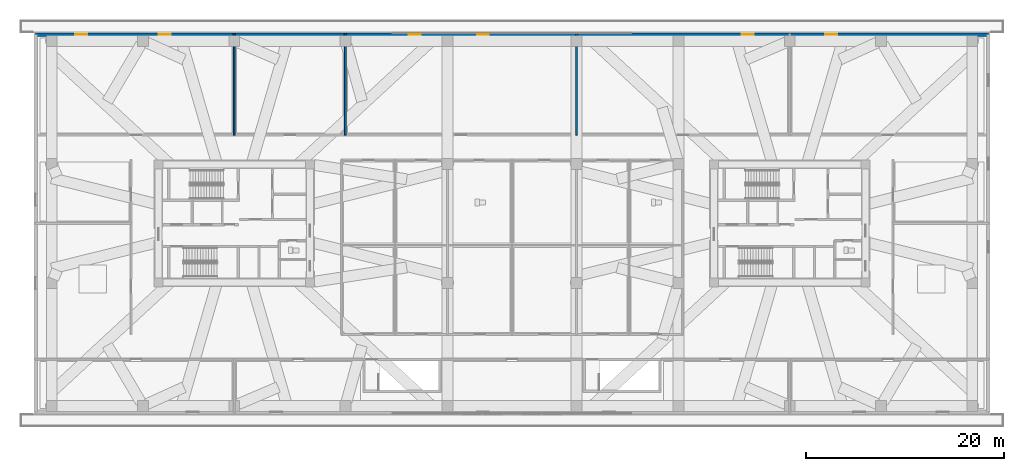
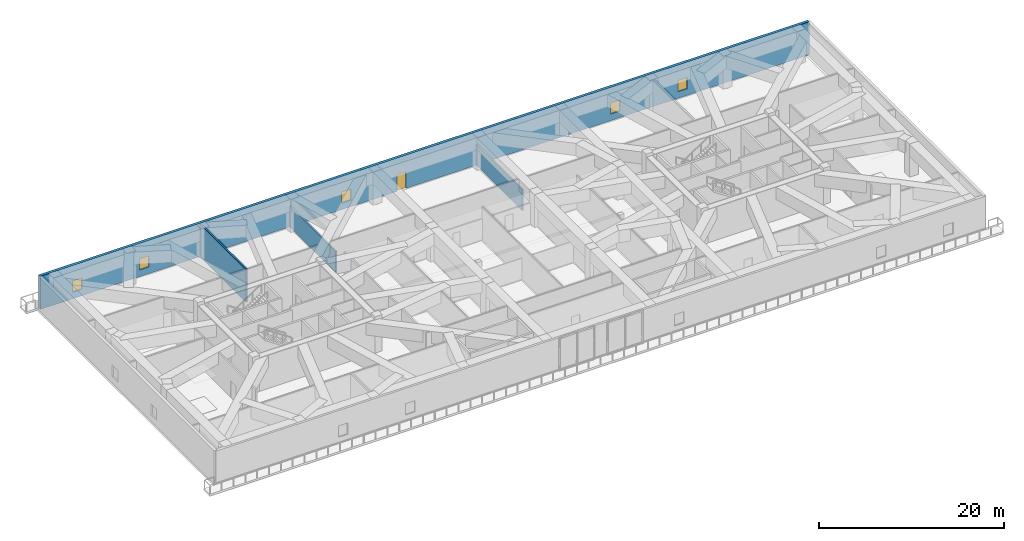
# One storey, part 10 of 21: 5 windows, 4 walls, 1 door, 6 openings.
"""IFC4 building model written with IfcOpenShell, lengths in metres."""

from ifc_helpers import new_model, si_unit, direction, frame, frame_2d, origin, place, context, subcontext, project, spatial, rectangle, extrude, source, transform, mapped, material, layer, layer_set, type_object, type_shapes, element, fill, save


model = new_model("IFC4")

# Units and contexts
model_context = context("Model", 3, precision=1e-05, world=origin(), true_north=direction((0.0, 1.0)))
body_context = subcontext(model_context, "Body", "Model", "MODEL_VIEW")
ifc_project = project(units=[si_unit("LENGTHUNIT", "METRE"), si_unit("AREAUNIT", "SQUARE_METRE"), si_unit("VOLUMEUNIT", "CUBIC_METRE"), si_unit("PLANEANGLEUNIT", "RADIAN"), si_unit("MASSUNIT", "GRAM", prefix="KILO")], contexts=[model_context])

# Site, building, storey
site_placement = place(None, origin())
site = spatial("IfcSite", under=ifc_project, at=site_placement, CompositionType="ELEMENT")
building_placement = place(site_placement, origin())
building = spatial("IfcBuilding", under=site, at=building_placement, Name="Norrkilde Senior Care Towers", CompositionType="ELEMENT")
storey_placement = place(building_placement, frame((0.0, 0.0, 16.800048828125)))
storey = spatial("IfcBuildingStorey", under=building, at=storey_placement, Name="L04", CompositionType="ELEMENT", Elevation=16.800048828125)

# Wall, openings, door, windows
ifc_material_1 = material(Name="Precast concrete C45/55", Category="concrete")
ifc_layer_1 = layer(ifc_material_1, 0.360107421875)
ifc_layer_set_1 = layer_set([ifc_layer_1], Name="Precast concrete C45/55")
wall_type_1 = type_object("IfcWallType", Name="Podium Facade Wall 360", PredefinedType="SOLIDWALL", material=ifc_layer_set_1)
shared_shape_1 = source(origin(), body_context, "Body", "SweptSolid", [
    extrude(rectangle(XDim=96.0400390625, YDim=0.360107421875, at=frame_2d((48.02001953125, 0.0))), origin(), (0.0, 0.0, 1.0), 4.3798828125),
])
type_shapes(wall_type_1, [shared_shape_1])
wall_1_placement = place(storey_placement, frame((-48.02001953125, 19.02001953125, 0.0), z_axis=(0.0, 0.0, 1.0), x_axis=(1.0, 0.0, 0.0)))
wall_1 = element("IfcWall", 1, at=wall_1_placement, inside=storey, type_object=wall_type_1, Name="L04 Podium N Facade Wall", PredefinedType="SOLIDWALL", context=body_context, shape_type="MappedRepresentation", body=[
    mapped(shared_shape_1, transform((0.0, 0.0, 0.0), x_axis=(1.0, 0.0, 0.0), y_axis=(0.0, 1.0, 0.0), z_axis=(0.0, 0.0, 1.0), scale=1.0)),
])
opening_1_placement = place(wall_1_placement, frame((44.52001953125, 0.0, 0.0)))
opening_1 = element("IfcOpeningElement", 2, at=opening_1_placement, cuts=wall_1, Name="Opening D-09", PredefinedType="OPENING", context=body_context, shape_type="SweptSolid", body=[
    extrude(rectangle(XDim=1.14990234375, YDim=2.25, at=frame_2d((0.574951171875, 1.125))), frame((0.0, 0.18994140625, 0.0), z_axis=(0.0, -1.0, 0.0), x_axis=(1.0, 0.0, 0.0)), (0.0, 0.0, 1.0), 0.380126953125),
])
opening_2_placement = place(wall_1_placement, frame((4.0, 0.0, 0.85009765625)))
opening_2 = element("IfcOpeningElement", 3, at=opening_2_placement, cuts=wall_1, Name="Opening WN-07", PredefinedType="OPENING", context=body_context, shape_type="SweptSolid", body=[
    extrude(rectangle(XDim=1.199951171875, YDim=1.5, at=frame_2d((0.60009765625, 0.75))), frame((0.0, 0.18994140625, 0.0), z_axis=(0.0, -1.0, 0.0), x_axis=(1.0, 0.0, 0.0)), (0.0, 0.0, 1.0), 0.380126953125),
])
opening_3_placement = place(wall_1_placement, frame((12.39990234375, 0.0, 0.85009765625)))
opening_3 = element("IfcOpeningElement", 4, at=opening_3_placement, cuts=wall_1, Name="Opening WN-07", PredefinedType="OPENING", context=body_context, shape_type="SweptSolid", body=[
    extrude(rectangle(XDim=1.199951171875, YDim=1.5, at=frame_2d((0.60009765625, 0.75))), frame((0.0, 0.18994140625, 0.0), z_axis=(0.0, -1.0, 0.0), x_axis=(1.0, 0.0, 0.0)), (0.0, 0.0, 1.0), 0.380126953125),
])
opening_4_placement = place(wall_1_placement, frame((37.60009765625, 0.0, 0.85009765625)))
opening_4 = element("IfcOpeningElement", 5, at=opening_4_placement, cuts=wall_1, Name="Opening WN-07", PredefinedType="OPENING", context=body_context, shape_type="SweptSolid", body=[
    extrude(rectangle(XDim=1.199951171875, YDim=1.5, at=frame_2d((0.60009765625, 0.75))), frame((0.0, 0.18994140625, 0.0), z_axis=(0.0, -1.0, 0.0), x_axis=(1.0, 0.0, 0.0)), (0.0, 0.0, 1.0), 0.380126953125),
])
opening_5_placement = place(wall_1_placement, frame((71.199951171875, 0.0, 0.85009765625)))
opening_5 = element("IfcOpeningElement", 6, at=opening_5_placement, cuts=wall_1, Name="Opening WN-07", PredefinedType="OPENING", context=body_context, shape_type="SweptSolid", body=[
    extrude(rectangle(XDim=1.199951171875, YDim=1.5, at=frame_2d((0.60009765625, 0.75))), frame((0.0, 0.18994140625, 0.0), z_axis=(0.0, -1.0, 0.0), x_axis=(1.0, 0.0, 0.0)), (0.0, 0.0, 1.0), 0.380126953125),
])
opening_6_placement = place(wall_1_placement, frame((79.60009765625, 0.0, 0.85009765625)))
opening_6 = element("IfcOpeningElement", 7, at=opening_6_placement, cuts=wall_1, Name="Opening WN-07", PredefinedType="OPENING", context=body_context, shape_type="SweptSolid", body=[
    extrude(rectangle(XDim=1.199951171875, YDim=1.5, at=frame_2d((0.60009765625, 0.75))), frame((0.0, 0.18994140625, 0.0), z_axis=(0.0, -1.0, 0.0), x_axis=(1.0, 0.0, 0.0)), (0.0, 0.0, 1.0), 0.380126953125),
])
ifc_material_2 = material(Name="Anodised Aluminium", Category="aluminium")
door_type = type_object("IfcDoorType", Name="Terrace and Balcony Glazed Door 1150x2250", OperationType="NOTDEFINED", PredefinedType="DOOR", material=ifc_material_2)
shared_shape_2 = source(origin(), body_context, "Body", "SweptSolid", [
    extrude(rectangle(XDim=1.14990234375, YDim=2.25, at=frame_2d((0.574951171875, 1.125))), frame((0.0, 0.02490234375, 0.0), z_axis=(0.0, -1.0, 0.0), x_axis=(1.0, 0.0, 0.0)), (0.0, 0.0, 1.0), 0.050048828125),
])
type_shapes(door_type, [shared_shape_2])
door_placement = place(opening_1_placement, origin())
door = element("IfcDoor", 8, at=door_placement, inside=storey, type_object=door_type, Name="L04 North Cascading Garden Terrace Door", OperationType="SINGLE_SWING_LEFT", OverallHeight=2.25, OverallWidth=1.14990234375, PredefinedType="DOOR", context=body_context, shape_type="MappedRepresentation", body=[
    mapped(shared_shape_2, transform((0.0, 0.0, 0.0), x_axis=(1.0, 0.0, 0.0), y_axis=(0.0, 1.0, 0.0), z_axis=(0.0, 0.0, 1.0), scale=1.0)),
])
fill(opening_1, door)
ifc_material_3 = material(Name="Triple Low-E Insulated Glazing", Category="glass")
window_type = type_object("IfcWindowType", Name="Stairwell Smoke Vent Window 1200x1500", PartitioningType="SINGLE_PANEL", PredefinedType="WINDOW", material=ifc_material_3)
shared_shape_3 = source(origin(), body_context, "Body", "SweptSolid", [
    extrude(rectangle(XDim=1.199951171875, YDim=1.5, at=frame_2d((0.60009765625, 0.75))), frame((0.0, 0.030029296875, 0.0), z_axis=(0.0, -1.0, 0.0), x_axis=(1.0, 0.0, 0.0)), (0.0, 0.0, 1.0), 0.06005859375),
])
type_shapes(window_type, [shared_shape_3])
window_1_placement = place(opening_2_placement, origin())
window_1 = element("IfcWindow", 9, at=window_1_placement, inside=storey, type_object=window_type, Name="L04 N Window 01", OverallHeight=1.5, OverallWidth=1.199951171875, PartitioningType="SINGLE_PANEL", PredefinedType="WINDOW", context=body_context, shape_type="MappedRepresentation", body=[
    mapped(shared_shape_3, transform((0.0, 0.0, 0.0), x_axis=(1.0, 0.0, 0.0), y_axis=(0.0, 1.0, 0.0), z_axis=(0.0, 0.0, 1.0), scale=1.0)),
])
fill(opening_2, window_1)
window_2_placement = place(opening_3_placement, origin())
window_2 = element("IfcWindow", 10, at=window_2_placement, inside=storey, type_object=window_type, Name="L04 N Window 02", OverallHeight=1.5, OverallWidth=1.199951171875, PartitioningType="SINGLE_PANEL", PredefinedType="WINDOW", context=body_context, shape_type="MappedRepresentation", body=[
    mapped(shared_shape_3, transform((0.0, 0.0, 0.0), x_axis=(1.0, 0.0, 0.0), y_axis=(0.0, 1.0, 0.0), z_axis=(0.0, 0.0, 1.0), scale=1.0)),
])
fill(opening_3, window_2)
window_3_placement = place(opening_4_placement, origin())
window_3 = element("IfcWindow", 11, at=window_3_placement, inside=storey, type_object=window_type, Name="L04 N Window 05", OverallHeight=1.5, OverallWidth=1.199951171875, PartitioningType="SINGLE_PANEL", PredefinedType="WINDOW", context=body_context, shape_type="MappedRepresentation", body=[
    mapped(shared_shape_3, transform((0.0, 0.0, 0.0), x_axis=(1.0, 0.0, 0.0), y_axis=(0.0, 1.0, 0.0), z_axis=(0.0, 0.0, 1.0), scale=1.0)),
])
fill(opening_4, window_3)
window_4_placement = place(opening_5_placement, origin())
window_4 = element("IfcWindow", 12, at=window_4_placement, inside=storey, type_object=window_type, Name="L04 N Window 09", OverallHeight=1.5, OverallWidth=1.199951171875, PartitioningType="SINGLE_PANEL", PredefinedType="WINDOW", context=body_context, shape_type="MappedRepresentation", body=[
    mapped(shared_shape_3, transform((0.0, 0.0, 0.0), x_axis=(1.0, 0.0, 0.0), y_axis=(0.0, 1.0, 0.0), z_axis=(0.0, 0.0, 1.0), scale=1.0)),
])
fill(opening_5, window_4)
window_5_placement = place(opening_6_placement, origin())
window_5 = element("IfcWindow", 13, at=window_5_placement, inside=storey, type_object=window_type, Name="L04 N Window 10", OverallHeight=1.5, OverallWidth=1.199951171875, PartitioningType="SINGLE_PANEL", PredefinedType="WINDOW", context=body_context, shape_type="MappedRepresentation", body=[
    mapped(shared_shape_3, transform((0.0, 0.0, 0.0), x_axis=(1.0, 0.0, 0.0), y_axis=(0.0, 1.0, 0.0), z_axis=(0.0, 0.0, 1.0), scale=1.0)),
])
fill(opening_6, window_5)

# Walls
ifc_material_4 = material(Name="Gypsum Acoustic Board")
ifc_layer_2 = layer(ifc_material_4, 0.18994140625)
ifc_layer_set_2 = layer_set([ifc_layer_2], Name="Gypsum Acoustic Board")
wall_type_2 = type_object("IfcWallType", Name="Unit Demising Acoustic Wall 190", PredefinedType="PARTITIONING", material=ifc_layer_set_2)
shared_shape_4 = source(origin(), body_context, "Body", "SweptSolid", [
    extrude(rectangle(XDim=10.2001953125, YDim=0.18994140625, at=frame_2d((5.10009765625, 0.0))), origin(), (0.0, 0.0, 1.0), 4.364990234375),
])
wall_2_placement = place(storey_placement, frame((-28.0, 8.89990234375, 0.0), z_axis=(0.0, 0.0, 1.0), x_axis=(0.0, 1.0, 0.0)))
element("IfcWall", 14, at=wall_2_placement, inside=storey, type_object=wall_type_2, Name="WL-INT-L04-POD-NPV1", PredefinedType="PARTITIONING", context=body_context, shape_type="MappedRepresentation", body=[
    mapped(shared_shape_4, transform((0.0, 0.0, 0.0), x_axis=(1.0, 0.0, 0.0), y_axis=(0.0, 1.0, 0.0), z_axis=(0.0, 0.0, 1.0), scale=1.0)),
])
shared_shape_5 = source(origin(), body_context, "Body", "SweptSolid", [
    extrude(rectangle(XDim=10.2001953125, YDim=0.18994140625, at=frame_2d((5.10009765625, 0.0))), origin(), (0.0, 0.0, 1.0), 2.764892578125),
])
type_shapes(wall_type_2, [shared_shape_4, shared_shape_5])
for number, where, z_axis, x_axis, name in (
    (15, (-16.800048828125, 8.89990234375, 0.0), (0.0, 0.0, 1.0), (0.0, 1.0, 0.0), "WL-INT-L04-POD-NPV2"),
    (16, (6.5, 8.89990234375, 0.0), (0.0, 0.0, 1.0), (0.0, 1.0, 0.0), "WL-INT-L04-POD-NPV3"),
):
    element("IfcWall", number, at=place(storey_placement, frame(where, z_axis=z_axis, x_axis=x_axis)), inside=storey, type_object=wall_type_2, Name=name, PredefinedType="PARTITIONING", context=body_context, shape_type="MappedRepresentation", body=[
        mapped(shared_shape_5, transform((0.0, 0.0, 0.0), x_axis=(1.0, 0.0, 0.0), y_axis=(0.0, 1.0, 0.0), z_axis=(0.0, 0.0, 1.0), scale=1.0)),
    ])

save(model, "model.ifc")
